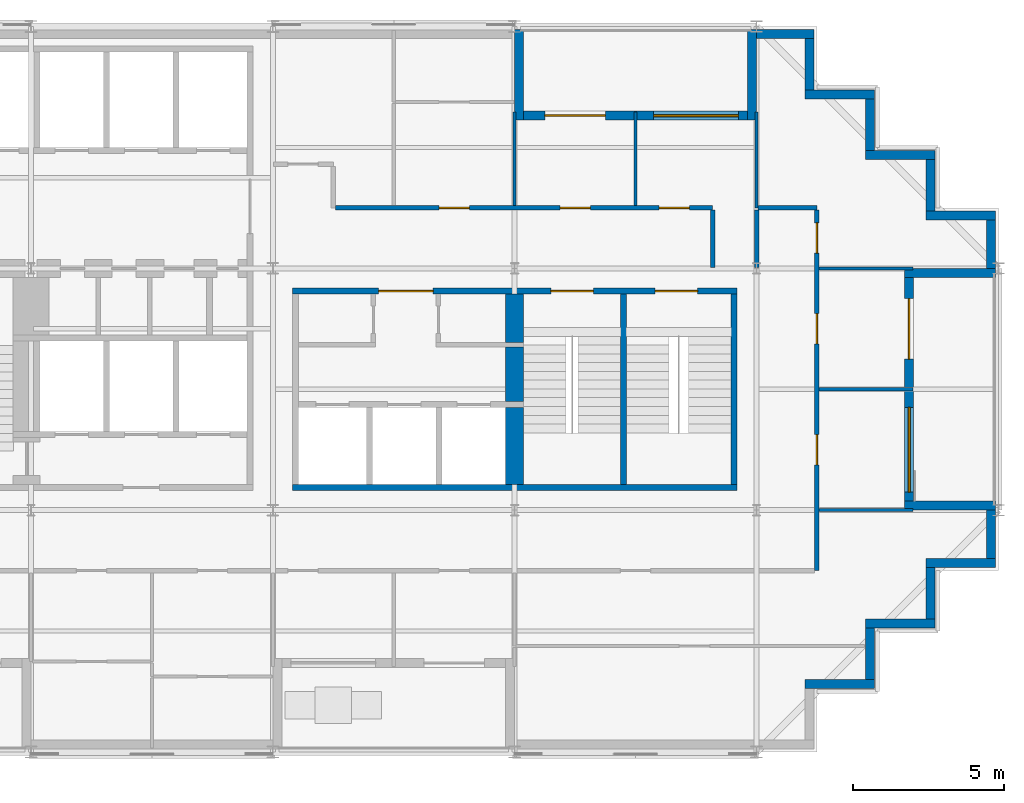
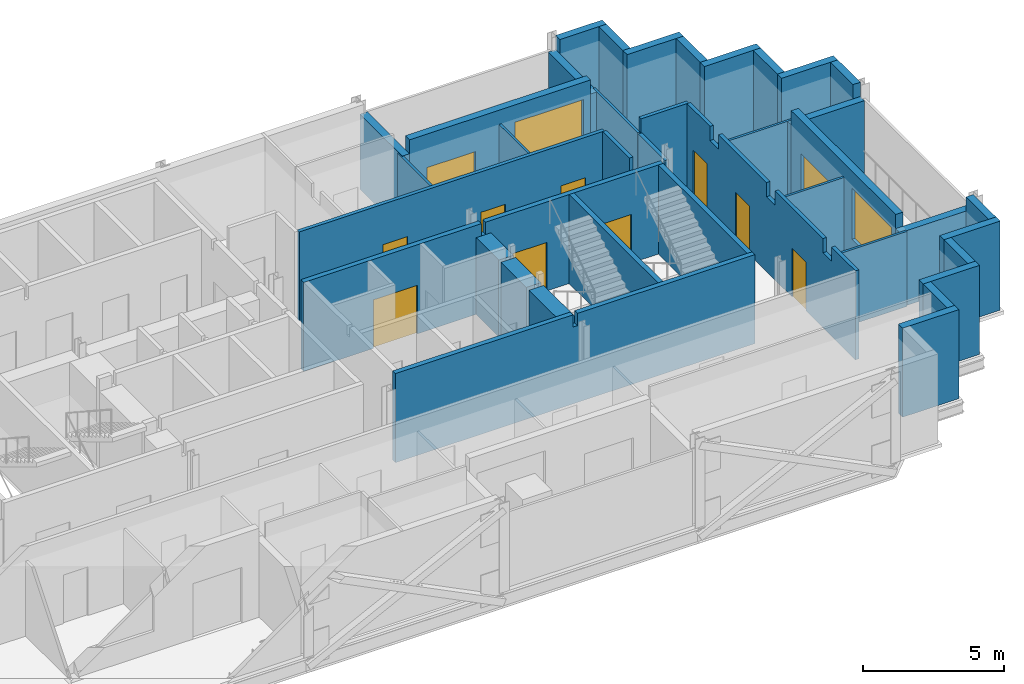
# One storey, part 7 of 10: 38 walls, 11 doors, 2 windows, 13 openings.
"""IFC4 building model written with IfcOpenShell, lengths in metres."""

from ifc_helpers import new_model, si_unit, direction, frame, frame_2d, origin, place, context, subcontext, project, spatial, polyline, rectangle, outline, extrude, material, layer, layer_set, type_object, element, fill, save


model = new_model("IFC4")

# Units and contexts
model_context = context("Model", 3, precision=1e-05, world=origin(), true_north=direction((0.0, 1.0)))
body_context = subcontext(model_context, "Body", "Model", "MODEL_VIEW")
ifc_project = project(units=[si_unit("LENGTHUNIT", "METRE"), si_unit("AREAUNIT", "SQUARE_METRE"), si_unit("VOLUMEUNIT", "CUBIC_METRE"), si_unit("PLANEANGLEUNIT", "RADIAN"), si_unit("MASSUNIT", "GRAM", prefix="KILO")], contexts=[model_context])

# Site, building, storey
site_placement = place(None, origin())
site = spatial("IfcSite", under=ifc_project, at=site_placement, CompositionType="ELEMENT")
building_placement = place(site_placement, origin())
building = spatial("IfcBuilding", under=site, at=building_placement, Name="Immortelle Media Tower", CompositionType="ELEMENT")
storey_placement = place(building_placement, frame((0.0, 0.0, 275.0)))
storey = spatial("IfcBuildingStorey", under=building, at=storey_placement, Name="L60", CompositionType="ELEMENT", Elevation=275.0)

# Wall, openings, doors
ifc_material_1 = material(Name="Fire-rated gypsum board", Category="gypsum")
ifc_layer_1 = layer(ifc_material_1, 0.012451171875)
ifc_material_2 = material(Name="Steel ASTM A653 SS Gr 50 stud frame with mineral wool", Category="steel")
ifc_layer_2 = layer(ifc_material_2, 0.125)
ifc_layer_3 = layer(ifc_material_1, 0.012451171875)
ifc_layer_set_1 = layer_set([ifc_layer_1, ifc_layer_2, ifc_layer_3], Name="Steel ASTM A653 SS Gr 50 stud frame with mineral wool")
wall_type_1 = type_object("IfcWallType", Name="Corridor wall 150", PredefinedType="PARTITIONING", material=ifc_layer_set_1)
wall_1_placement = place(storey_placement, frame((42.0, 6.0, 0.0), z_axis=(0.0, 0.0, 1.0), x_axis=(0.0, 1.0, 0.0)))
wall_1 = element("IfcWall", 1, at=wall_1_placement, inside=storey, type_object=wall_type_1, Name="Partition L60-016", PredefinedType="PARTITIONING", context=body_context, shape_type="SweptSolid", body=[
    extrude(outline(polyline([(0.0, 0.0), (11.925048828125, 0.0), (11.925048828125, 3.85009765625), (10.300048828125, 3.85009765625), (10.298095703125, 3.238037109375), (9.701904296875, 3.238037109375), (9.699951171875, 3.85009765625), (6.300048828125, 3.85009765625), (6.298095703125, 3.238037109375), (5.701904296875, 3.238037109375), (5.699951171875, 3.85009765625), (2.300048828125, 3.85009765625), (2.298095703125, 3.238037109375), (1.701904296875, 3.238037109375), (1.699951171875, 3.85009765625), (0.0, 3.85009765625), (0.0, 0.0)])), frame((0.0, 0.074951171875, 0.0), z_axis=(0.0, -1.0, 0.0), x_axis=(1.0, 0.0, 0.0)), (0.0, 0.0, 1.0), 0.14990234375),
])
opening_1_placement = place(wall_1_placement, frame((4.5, 0.0, 0.0), z_axis=(0.0, 0.0, 1.0), x_axis=(-1.0, 0.0, 0.0)))
opening_1 = element("IfcOpeningElement", 2, at=opening_1_placement, cuts=wall_1, Name="Opening X4-F014", PredefinedType="OPENING", context=body_context, shape_type="SweptSolid", body=[
    extrude(rectangle(XDim=1.0, YDim=2.10009765625, at=frame_2d((0.5, 1.050048828125))), frame((0.0, 0.0849609375, 0.0), z_axis=(0.0, -1.0, 0.0), x_axis=(1.0, 0.0, 0.0)), (0.0, 0.0, 1.0), 0.169921875),
])
opening_2_placement = place(wall_1_placement, frame((8.5, 0.0, 0.0), z_axis=(0.0, 0.0, 1.0), x_axis=(-1.0, 0.0, 0.0)))
opening_2 = element("IfcOpeningElement", 3, at=opening_2_placement, cuts=wall_1, Name="Opening X4-F015", PredefinedType="OPENING", context=body_context, shape_type="SweptSolid", body=[
    extrude(rectangle(XDim=1.0, YDim=2.10009765625, at=frame_2d((0.5, 1.050048828125))), frame((0.0, 0.0849609375, 0.0), z_axis=(0.0, -1.0, 0.0), x_axis=(1.0, 0.0, 0.0)), (0.0, 0.0, 1.0), 0.169921875),
])
opening_3_placement = place(wall_1_placement, frame((11.5, 0.0, 0.0), z_axis=(0.0, 0.0, 1.0), x_axis=(-1.0, 0.0, 0.0)))
opening_3 = element("IfcOpeningElement", 4, at=opening_3_placement, cuts=wall_1, Name="Opening X4-F017", PredefinedType="OPENING", context=body_context, shape_type="SweptSolid", body=[
    extrude(rectangle(XDim=1.0, YDim=2.10009765625, at=frame_2d((0.5, 1.050048828125))), frame((0.0, 0.0849609375, 0.0), z_axis=(0.0, -1.0, 0.0), x_axis=(1.0, 0.0, 0.0)), (0.0, 0.0, 1.0), 0.169921875),
])
ifc_material_3 = material(Name="Timber veneered door leaf, galvanised steel frame ASTM A653", Category="steel")
door_type_1 = type_object("IfcDoorType", Name="Room door 1000 x 2100", OperationType="NOTDEFINED", PredefinedType="DOOR", material=ifc_material_3)
door_1_placement = place(opening_1_placement, origin())
door_1 = element("IfcDoor", 5, at=door_1_placement, inside=storey, type_object=door_type_1, Name="Door X4-F014", OperationType="SINGLE_SWING_LEFT", OverallHeight=2.10009765625, OverallWidth=1.0, PredefinedType="DOOR", context=body_context, shape_type="SweptSolid", body=[
    extrude(rectangle(XDim=1.0, YDim=2.10009765625, at=frame_2d((0.5, 1.050048828125))), frame((0.0, 0.02490234375, 0.0), z_axis=(0.0, -1.0, 0.0), x_axis=(1.0, 0.0, 0.0)), (0.0, 0.0, 1.0), 0.050048828125),
])
fill(opening_1, door_1)
door_2_placement = place(opening_2_placement, origin())
door_2 = element("IfcDoor", 6, at=door_2_placement, inside=storey, type_object=door_type_1, Name="Door X4-F015", OperationType="SINGLE_SWING_LEFT", OverallHeight=2.10009765625, OverallWidth=1.0, PredefinedType="DOOR", context=body_context, shape_type="SweptSolid", body=[
    extrude(rectangle(XDim=1.0, YDim=2.10009765625, at=frame_2d((0.5, 1.050048828125))), frame((0.0, 0.02490234375, 0.0), z_axis=(0.0, -1.0, 0.0), x_axis=(1.0, 0.0, 0.0)), (0.0, 0.0, 1.0), 0.050048828125),
])
fill(opening_2, door_2)
door_3_placement = place(opening_3_placement, origin())
door_3 = element("IfcDoor", 7, at=door_3_placement, inside=storey, type_object=door_type_1, Name="Door X4-F017", OperationType="SINGLE_SWING_RIGHT", OverallHeight=2.10009765625, OverallWidth=1.0, PredefinedType="DOOR", context=body_context, shape_type="SweptSolid", body=[
    extrude(rectangle(XDim=1.0, YDim=2.10009765625, at=frame_2d((0.5, 1.050048828125))), frame((0.0, 0.02490234375, 0.0), z_axis=(0.0, -1.0, 0.0), x_axis=(1.0, 0.0, 0.0)), (0.0, 0.0, 1.0), 0.050048828125),
])
fill(opening_3, door_3)

# Walls
wall_2_placement = place(storey_placement, frame((38.550048828125, 16.030029296875, 0.0), z_axis=(0.0, 0.0, 1.0), x_axis=(0.0, 1.0, 0.0)))
element("IfcWall", 8, at=wall_2_placement, inside=storey, type_object=wall_type_1, Name="Partition L60-023", PredefinedType="PARTITIONING", context=body_context, shape_type="SweptSolid", body=[
    extrude(rectangle(XDim=1.89501953125, YDim=0.14990234375, at=frame_2d((0.947509765625, 0.0))), origin(), (0.0, 0.0, 1.0), 3.85009765625),
])
wall_3_placement = place(storey_placement, frame((40.0, 16.030029296875, 0.0), z_axis=(0.0, 0.0, 1.0), x_axis=(0.0, 1.0, 0.0)))
element("IfcWall", 9, at=wall_3_placement, inside=storey, type_object=wall_type_1, Name="Partition L60-024", PredefinedType="PARTITIONING", context=body_context, shape_type="SweptSolid", body=[
    extrude(rectangle(XDim=1.89501953125, YDim=0.14990234375, at=frame_2d((0.947509765625, 0.0))), origin(), (0.0, 0.0, 1.0), 3.238037109375),
])

# Wall, openings, doors
wall_4_placement = place(storey_placement, frame((26.074951171875, 18.0, 0.0), z_axis=(0.0, 0.0, 1.0), x_axis=(1.0, 0.0, 0.0)))
wall_4 = element("IfcWall", 10, at=wall_4_placement, inside=storey, type_object=wall_type_1, Name="Partition L60-025", PredefinedType="PARTITIONING", context=body_context, shape_type="SweptSolid", body=[
    extrude(rectangle(XDim=12.47509765625, YDim=0.14990234375, at=frame_2d((6.237548828125, 0.0))), origin(), (0.0, 0.0, 1.0), 3.85009765625),
])
opening_4_placement = place(wall_4_placement, frame((7.425048828125, 0.0, 0.0)))
opening_4 = element("IfcOpeningElement", 11, at=opening_4_placement, cuts=wall_4, Name="Opening X4-F018", PredefinedType="OPENING", context=body_context, shape_type="SweptSolid", body=[
    extrude(rectangle(XDim=1.0, YDim=2.10009765625, at=frame_2d((0.5, 1.050048828125))), frame((0.0, 0.0849609375, 0.0), z_axis=(0.0, -1.0, 0.0), x_axis=(1.0, 0.0, 0.0)), (0.0, 0.0, 1.0), 0.169921875),
])
opening_5_placement = place(wall_4_placement, frame((10.699951171875, 0.0, 0.0)))
opening_5 = element("IfcOpeningElement", 12, at=opening_5_placement, cuts=wall_4, Name="Opening X4-F019", PredefinedType="OPENING", context=body_context, shape_type="SweptSolid", body=[
    extrude(rectangle(XDim=1.0, YDim=2.10009765625, at=frame_2d((0.5, 1.050048828125))), frame((0.0, 0.0849609375, 0.0), z_axis=(0.0, -1.0, 0.0), x_axis=(1.0, 0.0, 0.0)), (0.0, 0.0, 1.0), 0.169921875),
])
opening_6_placement = place(wall_4_placement, frame((3.425048828125, 0.0, 0.0)))
opening_6 = element("IfcOpeningElement", 13, at=opening_6_placement, cuts=wall_4, Name="Opening X4-F021", PredefinedType="OPENING", context=body_context, shape_type="SweptSolid", body=[
    extrude(rectangle(XDim=1.0, YDim=2.10009765625, at=frame_2d((0.5, 1.050048828125))), frame((0.0, 0.0849609375, 0.0), z_axis=(0.0, -1.0, 0.0), x_axis=(1.0, 0.0, 0.0)), (0.0, 0.0, 1.0), 0.169921875),
])
door_4_placement = place(opening_4_placement, origin())
door_4 = element("IfcDoor", 14, at=door_4_placement, inside=storey, type_object=door_type_1, Name="Door X4-F018", OperationType="SINGLE_SWING_RIGHT", OverallHeight=2.10009765625, OverallWidth=1.0, PredefinedType="DOOR", context=body_context, shape_type="SweptSolid", body=[
    extrude(rectangle(XDim=1.0, YDim=2.10009765625, at=frame_2d((0.5, 1.050048828125))), frame((0.0, 0.02490234375, 0.0), z_axis=(0.0, -1.0, 0.0), x_axis=(1.0, 0.0, 0.0)), (0.0, 0.0, 1.0), 0.050048828125),
])
fill(opening_4, door_4)
door_5_placement = place(opening_5_placement, origin())
door_5 = element("IfcDoor", 15, at=door_5_placement, inside=storey, type_object=door_type_1, Name="Door X4-F019", OperationType="SINGLE_SWING_LEFT", OverallHeight=2.10009765625, OverallWidth=1.0, PredefinedType="DOOR", context=body_context, shape_type="SweptSolid", body=[
    extrude(rectangle(XDim=1.0, YDim=2.10009765625, at=frame_2d((0.5, 1.050048828125))), frame((0.0, 0.02490234375, 0.0), z_axis=(0.0, -1.0, 0.0), x_axis=(1.0, 0.0, 0.0)), (0.0, 0.0, 1.0), 0.050048828125),
])
fill(opening_5, door_5)
door_6_placement = place(opening_6_placement, origin())
door_6 = element("IfcDoor", 16, at=door_6_placement, inside=storey, type_object=door_type_1, Name="Door X4-F021", OperationType="SINGLE_SWING_RIGHT", OverallHeight=2.10009765625, OverallWidth=1.0, PredefinedType="DOOR", context=body_context, shape_type="SweptSolid", body=[
    extrude(rectangle(XDim=1.0, YDim=2.10009765625, at=frame_2d((0.5, 1.050048828125))), frame((0.0, 0.02490234375, 0.0), z_axis=(0.0, -1.0, 0.0), x_axis=(1.0, 0.0, 0.0)), (0.0, 0.0, 1.0), 0.050048828125),
])
fill(opening_6, door_6)

# Walls
wall_5_placement = place(storey_placement, frame((40.050048828125, 18.0, 0.0), z_axis=(0.0, 0.0, 1.0), x_axis=(1.0, 0.0, 0.0)))
element("IfcWall", 17, at=wall_5_placement, inside=storey, type_object=wall_type_1, Name="Partition L60-030", PredefinedType="PARTITIONING", context=body_context, shape_type="SweptSolid", body=[
    extrude(rectangle(XDim=1.949951171875, YDim=0.14990234375, at=frame_2d((0.97509765625, 0.0))), origin(), (0.0, 0.0, 1.0), 3.85009765625),
])
ifc_material_4 = material(Name="Pale aluminium cladding panel", Category="aluminium")
ifc_layer_4 = layer(ifc_material_4, 0.030029296875)
ifc_layer_5 = layer(ifc_material_2, 0.257568359375)
ifc_material_5 = material(Name="Moisture-resistant gypsum board", Category="gypsum")
ifc_layer_6 = layer(ifc_material_5, 0.012451171875)
ifc_layer_set_2 = layer_set([ifc_layer_4, ifc_layer_5, ifc_layer_6], Name="Steel ASTM A653 SS Gr 50 stud frame with mineral wool")
wall_type_2 = type_object("IfcWallType", Name="Facade wall 300", PredefinedType="SOLIDWALL", material=ifc_layer_set_2)
wall_6_placement = place(storey_placement, frame((41.60009765625, 2.25, 0.0), z_axis=(0.0, 0.0, 1.0), x_axis=(1.0, 0.0, 0.0)))
element("IfcWall", 18, at=wall_6_placement, inside=storey, type_object=wall_type_2, Name="Facade wall L60 S8", PredefinedType="SOLIDWALL", context=body_context, shape_type="SweptSolid", body=[
    extrude(rectangle(XDim=2.2998046875, YDim=0.300048828125, at=frame_2d((1.14990234375, 0.0))), origin(), (0.0, 0.0, 1.0), 3.85009765625),
])
wall_7_placement = place(storey_placement, frame((43.75, 2.39990234375, 0.0), z_axis=(0.0, 0.0, 1.0), x_axis=(0.0, 1.0, 0.0)))
element("IfcWall", 19, at=wall_7_placement, inside=storey, type_object=wall_type_2, Name="Facade wall L60 E9", PredefinedType="SOLIDWALL", context=body_context, shape_type="SweptSolid", body=[
    extrude(rectangle(XDim=1.7001953125, YDim=0.300048828125, at=frame_2d((0.85009765625, 0.0))), origin(), (0.0, 0.0, 1.0), 3.85009765625),
])
wall_8_placement = place(storey_placement, frame((43.60009765625, 4.25, 0.0), z_axis=(0.0, 0.0, 1.0), x_axis=(1.0, 0.0, 0.0)))
element("IfcWall", 20, at=wall_8_placement, inside=storey, type_object=wall_type_2, Name="Facade wall L60 S10", PredefinedType="SOLIDWALL", context=body_context, shape_type="SweptSolid", body=[
    extrude(rectangle(XDim=2.2998046875, YDim=0.300048828125, at=frame_2d((1.14990234375, 0.0))), origin(), (0.0, 0.0, 1.0), 3.85009765625),
])
wall_9_placement = place(storey_placement, frame((45.75, 4.39990234375, 0.0), z_axis=(0.0, 0.0, 1.0), x_axis=(0.0, 1.0, 0.0)))
element("IfcWall", 21, at=wall_9_placement, inside=storey, type_object=wall_type_2, Name="Facade wall L60 E11", PredefinedType="SOLIDWALL", context=body_context, shape_type="SweptSolid", body=[
    extrude(rectangle(XDim=1.7001953125, YDim=0.300048828125, at=frame_2d((0.85009765625, 0.0))), origin(), (0.0, 0.0, 1.0), 3.85009765625),
])
wall_10_placement = place(storey_placement, frame((45.60009765625, 6.25, 0.0), z_axis=(0.0, 0.0, 1.0), x_axis=(1.0, 0.0, 0.0)))
element("IfcWall", 22, at=wall_10_placement, inside=storey, type_object=wall_type_2, Name="Facade wall L60 S12", PredefinedType="SOLIDWALL", context=body_context, shape_type="SweptSolid", body=[
    extrude(rectangle(XDim=2.2998046875, YDim=0.300048828125, at=frame_2d((1.14990234375, 0.0))), origin(), (0.0, 0.0, 1.0), 3.85009765625),
])
wall_11_placement = place(storey_placement, frame((47.75, 6.39990234375, 0.0), z_axis=(0.0, 0.0, 1.0), x_axis=(0.0, 1.0, 0.0)))
element("IfcWall", 23, at=wall_11_placement, inside=storey, type_object=wall_type_2, Name="Facade wall L60 E13", PredefinedType="SOLIDWALL", context=body_context, shape_type="SweptSolid", body=[
    extrude(rectangle(XDim=1.60009765625, YDim=0.300048828125, at=frame_2d((0.800048828125, 0.0))), origin(), (0.0, 0.0, 1.0), 3.85009765625),
])

# Wall, openings, door, window
wall_12_placement = place(storey_placement, frame((45.050048828125, 8.300048828125, 0.0), z_axis=(0.0, 0.0, 1.0), x_axis=(0.0, 1.0, 0.0)))
wall_12 = element("IfcWall", 24, at=wall_12_placement, inside=storey, type_object=wall_type_2, Name="Loggia wall L60 E13", PredefinedType="SOLIDWALL", context=body_context, shape_type="SweptSolid", body=[
    extrude(rectangle(XDim=7.39990234375, YDim=0.300048828125, at=frame_2d((3.699951171875, 0.0))), origin(), (0.0, 0.0, 1.0), 3.85009765625),
])
opening_7_placement = place(wall_12_placement, frame((0.300048828125, 0.0, 0.89990234375)))
opening_7 = element("IfcOpeningElement", 25, at=opening_7_placement, cuts=wall_12, Name="Opening W1", PredefinedType="OPENING", context=body_context, shape_type="SweptSolid", body=[
    extrude(rectangle(XDim=2.800048828125, YDim=2.199951171875, at=frame_2d((1.39990234375, 1.10009765625))), frame((0.0, 0.159912109375, 0.0), z_axis=(0.0, -1.0, 0.0), x_axis=(1.0, 0.0, 0.0)), (0.0, 0.0, 1.0), 0.320068359375),
])
opening_8_placement = place(wall_12_placement, frame((4.699951171875, 0.0, 0.0)))
opening_8 = element("IfcOpeningElement", 26, at=opening_8_placement, cuts=wall_12, Name="Opening X4-E003", PredefinedType="OPENING", context=body_context, shape_type="SweptSolid", body=[
    extrude(rectangle(XDim=2.0, YDim=2.39990234375, at=frame_2d((1.0, 1.199951171875))), frame((0.0, 0.159912109375, 0.0), z_axis=(0.0, -1.0, 0.0), x_axis=(1.0, 0.0, 0.0)), (0.0, 0.0, 1.0), 0.320068359375),
])
ifc_material_6 = material(Name="Aluminium frame, glazed leaves", Category="aluminium")
door_type_2 = type_object("IfcDoorType", Name="Loggia door 2000 x 2400", OperationType="DOUBLE_DOOR_SINGLE_SWING", PredefinedType="DOOR", material=ifc_material_6)
door_7_placement = place(opening_8_placement, origin())
door_7 = element("IfcDoor", 27, at=door_7_placement, inside=storey, type_object=door_type_2, Name="Door X4-E003", OperationType="DOUBLE_DOOR_SINGLE_SWING", OverallHeight=2.39990234375, OverallWidth=2.0, PredefinedType="DOOR", context=body_context, shape_type="SweptSolid", body=[
    extrude(rectangle(XDim=2.0, YDim=2.39990234375, at=frame_2d((1.0, 1.199951171875))), frame((0.0, 0.02490234375, 0.0), z_axis=(0.0, -1.0, 0.0), x_axis=(1.0, 0.0, 0.0)), (0.0, 0.0, 1.0), 0.050048828125),
])
fill(opening_8, door_7)
ifc_material_7 = material(Name="Aluminium frame", Category="aluminium")
window_type = type_object("IfcWindowType", Name="Window 2800 x 2200", PartitioningType="SINGLE_PANEL", PredefinedType="WINDOW", material=ifc_material_7)
window_1_placement = place(opening_7_placement, origin())
window_1 = element("IfcWindow", 28, at=window_1_placement, inside=storey, type_object=window_type, Name="Window L60 L60-R13-B0", OverallHeight=2.199951171875, OverallWidth=2.800048828125, PartitioningType="SINGLE_PANEL", PredefinedType="WINDOW", context=body_context, shape_type="SweptSolid", body=[
    extrude(rectangle(XDim=2.800048828125, YDim=2.199951171875, at=frame_2d((1.39990234375, 1.10009765625))), frame((0.0, 0.030029296875, 0.0), z_axis=(0.0, -1.0, 0.0), x_axis=(1.0, 0.0, 0.0)), (0.0, 0.0, 1.0), 0.06005859375),
])
fill(opening_7, window_1)

# Walls
for number, where, z_axis, x_axis, name in (
    (29, (47.89990234375, 8.14990234375, 0.0), (0.0, 0.0, 1.0), (-1.0, 0.0, 0.0), "Loggia cheek wall L60 E"),
    (30, (47.89990234375, 15.85009765625, 0.0), (0.0, 0.0, 1.0), (-1.0, 0.0, 0.0), "Loggia cheek wall L60 E"),
):
    element("IfcWall", number, at=place(storey_placement, frame(where, z_axis=z_axis, x_axis=x_axis)), inside=storey, type_object=wall_type_2, Name=name, PredefinedType="SOLIDWALL", context=body_context, shape_type="SweptSolid", body=[
        extrude(rectangle(XDim=3.0, YDim=0.300048828125, at=frame_2d((1.5, 0.0))), origin(), (0.0, 0.0, 1.0), 3.237060546875),
    ])
wall_13_placement = place(storey_placement, frame((47.75, 16.0, 0.0), z_axis=(0.0, 0.0, 1.0), x_axis=(0.0, 1.0, 0.0)))
element("IfcWall", 31, at=wall_13_placement, inside=storey, type_object=wall_type_2, Name="Facade wall L60 E13", PredefinedType="SOLIDWALL", context=body_context, shape_type="SweptSolid", body=[
    extrude(rectangle(XDim=1.60009765625, YDim=0.300048828125, at=frame_2d((0.800048828125, 0.0))), origin(), (0.0, 0.0, 1.0), 3.85009765625),
])
wall_14_placement = place(storey_placement, frame((47.89990234375, 17.75, 0.0), z_axis=(0.0, 0.0, 1.0), x_axis=(-1.0, 0.0, 0.0)))
element("IfcWall", 32, at=wall_14_placement, inside=storey, type_object=wall_type_2, Name="Facade wall L60 N14", PredefinedType="SOLIDWALL", context=body_context, shape_type="SweptSolid", body=[
    extrude(rectangle(XDim=2.2998046875, YDim=0.300048828125, at=frame_2d((1.14990234375, 0.0))), origin(), (0.0, 0.0, 1.0), 3.85009765625),
])
wall_15_placement = place(storey_placement, frame((45.75, 17.89990234375, 0.0), z_axis=(0.0, 0.0, 1.0), x_axis=(0.0, 1.0, 0.0)))
element("IfcWall", 33, at=wall_15_placement, inside=storey, type_object=wall_type_2, Name="Facade wall L60 E15", PredefinedType="SOLIDWALL", context=body_context, shape_type="SweptSolid", body=[
    extrude(rectangle(XDim=1.7001953125, YDim=0.300048828125, at=frame_2d((0.85009765625, 0.0))), origin(), (0.0, 0.0, 1.0), 3.85009765625),
])
wall_16_placement = place(storey_placement, frame((45.89990234375, 19.75, 0.0), z_axis=(0.0, 0.0, 1.0), x_axis=(-1.0, 0.0, 0.0)))
element("IfcWall", 34, at=wall_16_placement, inside=storey, type_object=wall_type_2, Name="Facade wall L60 N16", PredefinedType="SOLIDWALL", context=body_context, shape_type="SweptSolid", body=[
    extrude(rectangle(XDim=2.2998046875, YDim=0.300048828125, at=frame_2d((1.14990234375, 0.0))), origin(), (0.0, 0.0, 1.0), 3.85009765625),
])
wall_17_placement = place(storey_placement, frame((43.75, 19.89990234375, 0.0), z_axis=(0.0, 0.0, 1.0), x_axis=(0.0, 1.0, 0.0)))
element("IfcWall", 35, at=wall_17_placement, inside=storey, type_object=wall_type_2, Name="Facade wall L60 E17", PredefinedType="SOLIDWALL", context=body_context, shape_type="SweptSolid", body=[
    extrude(rectangle(XDim=1.7001953125, YDim=0.300048828125, at=frame_2d((0.85009765625, 0.0))), origin(), (0.0, 0.0, 1.0), 3.85009765625),
])
wall_18_placement = place(storey_placement, frame((43.89990234375, 21.75, 0.0), z_axis=(0.0, 0.0, 1.0), x_axis=(-1.0, 0.0, 0.0)))
element("IfcWall", 36, at=wall_18_placement, inside=storey, type_object=wall_type_2, Name="Facade wall L60 N18", PredefinedType="SOLIDWALL", context=body_context, shape_type="SweptSolid", body=[
    extrude(rectangle(XDim=2.2998046875, YDim=0.300048828125, at=frame_2d((1.14990234375, 0.0))), origin(), (0.0, 0.0, 1.0), 3.85009765625),
])
wall_19_placement = place(storey_placement, frame((41.75, 21.89990234375, 0.0), z_axis=(0.0, 0.0, 1.0), x_axis=(0.0, 1.0, 0.0)))
element("IfcWall", 37, at=wall_19_placement, inside=storey, type_object=wall_type_2, Name="Facade wall L60 E19", PredefinedType="SOLIDWALL", context=body_context, shape_type="SweptSolid", body=[
    extrude(rectangle(XDim=1.7001953125, YDim=0.300048828125, at=frame_2d((0.85009765625, 0.0))), origin(), (0.0, 0.0, 1.0), 3.85009765625),
])
wall_20_placement = place(storey_placement, frame((41.89990234375, 23.75, 0.0), z_axis=(0.0, 0.0, 1.0), x_axis=(-1.0, 0.0, 0.0)))
element("IfcWall", 38, at=wall_20_placement, inside=storey, type_object=wall_type_2, Name="Facade wall L60 N20", PredefinedType="SOLIDWALL", context=body_context, shape_type="SweptSolid", body=[
    extrude(rectangle(XDim=1.89990234375, YDim=0.300048828125, at=frame_2d((0.949951171875, 0.0))), origin(), (0.0, 0.0, 1.0), 3.85009765625),
])

# Wall, openings, door, window
wall_21_placement = place(storey_placement, frame((39.699951171875, 21.050048828125, 0.0), z_axis=(0.0, 0.0, 1.0), x_axis=(-1.0, 0.0, 0.0)))
wall_21 = element("IfcWall", 39, at=wall_21_placement, inside=storey, type_object=wall_type_2, Name="Loggia wall L60 N20", PredefinedType="SOLIDWALL", context=body_context, shape_type="SweptSolid", body=[
    extrude(rectangle(XDim=7.39990234375, YDim=0.300048828125, at=frame_2d((3.699951171875, 0.0))), origin(), (0.0, 0.0, 1.0), 3.85009765625),
])
opening_9_placement = place(wall_21_placement, frame((0.300048828125, 0.0, 0.89990234375)))
opening_9 = element("IfcOpeningElement", 40, at=opening_9_placement, cuts=wall_21, Name="Opening W1", PredefinedType="OPENING", context=body_context, shape_type="SweptSolid", body=[
    extrude(rectangle(XDim=2.800048828125, YDim=2.199951171875, at=frame_2d((1.39990234375, 1.10009765625))), frame((0.0, 0.159912109375, 0.0), z_axis=(0.0, -1.0, 0.0), x_axis=(1.0, 0.0, 0.0)), (0.0, 0.0, 1.0), 0.320068359375),
])
opening_10_placement = place(wall_21_placement, frame((4.699951171875, 0.0, 0.0)))
opening_10 = element("IfcOpeningElement", 41, at=opening_10_placement, cuts=wall_21, Name="Opening X4-E004", PredefinedType="OPENING", context=body_context, shape_type="SweptSolid", body=[
    extrude(rectangle(XDim=2.0, YDim=2.39990234375, at=frame_2d((1.0, 1.199951171875))), frame((0.0, 0.159912109375, 0.0), z_axis=(0.0, -1.0, 0.0), x_axis=(1.0, 0.0, 0.0)), (0.0, 0.0, 1.0), 0.320068359375),
])
door_8_placement = place(opening_10_placement, origin())
door_8 = element("IfcDoor", 42, at=door_8_placement, inside=storey, type_object=door_type_2, Name="Door X4-E004", OperationType="DOUBLE_DOOR_SINGLE_SWING", OverallHeight=2.39990234375, OverallWidth=2.0, PredefinedType="DOOR", context=body_context, shape_type="SweptSolid", body=[
    extrude(rectangle(XDim=2.0, YDim=2.39990234375, at=frame_2d((1.0, 1.199951171875))), frame((0.0, 0.02490234375, 0.0), z_axis=(0.0, -1.0, 0.0), x_axis=(1.0, 0.0, 0.0)), (0.0, 0.0, 1.0), 0.050048828125),
])
fill(opening_10, door_8)
window_2_placement = place(opening_9_placement, origin())
window_2 = element("IfcWindow", 43, at=window_2_placement, inside=storey, type_object=window_type, Name="Window L60 L60-R20-B0", OverallHeight=2.199951171875, OverallWidth=2.800048828125, PartitioningType="SINGLE_PANEL", PredefinedType="WINDOW", context=body_context, shape_type="SweptSolid", body=[
    extrude(rectangle(XDim=2.800048828125, YDim=2.199951171875, at=frame_2d((1.39990234375, 1.10009765625))), frame((0.0, 0.030029296875, 0.0), z_axis=(0.0, -1.0, 0.0), x_axis=(1.0, 0.0, 0.0)), (0.0, 0.0, 1.0), 0.06005859375),
])
fill(opening_9, window_2)

# Walls
wall_22_placement = place(storey_placement, frame((39.85009765625, 23.89990234375, 0.0), z_axis=(0.0, 0.0, 1.0), x_axis=(0.0, -1.0, 0.0)))
element("IfcWall", 44, at=wall_22_placement, inside=storey, type_object=wall_type_2, Name="Loggia cheek wall L60 N", PredefinedType="SOLIDWALL", context=body_context, shape_type="SweptSolid", body=[
    extrude(rectangle(XDim=3.0, YDim=0.300048828125, at=frame_2d((1.5, 0.0))), origin(), (0.0, 0.0, 1.0), 3.237060546875),
])
wall_23_placement = place(storey_placement, frame((32.14990234375, 23.89990234375, 0.0), z_axis=(0.0, 0.0, 1.0), x_axis=(0.0, -1.0, 0.0)))
element("IfcWall", 45, at=wall_23_placement, inside=storey, type_object=wall_type_2, Name="Loggia cheek wall L60 N", PredefinedType="SOLIDWALL", context=body_context, shape_type="SweptSolid", body=[
    extrude(rectangle(XDim=3.0, YDim=0.300048828125, at=frame_2d((1.5, 0.0))), origin(), (0.0, 0.0, 1.0), 3.2470703125),
])
ifc_material_8 = material(Name="Gypsum board", Category="gypsum")
ifc_layer_7 = layer(ifc_material_8, 0.012451171875)
ifc_layer_8 = layer(ifc_material_2, 0.074951171875)
ifc_layer_9 = layer(ifc_material_8, 0.012451171875)
ifc_layer_set_3 = layer_set([ifc_layer_7, ifc_layer_8, ifc_layer_9], Name="Steel ASTM A653 SS Gr 50 stud frame with mineral wool")
wall_type_3 = type_object("IfcWallType", Name="Partition 100", PredefinedType="PARTITIONING", material=ifc_layer_set_3)
for number, where, z_axis, x_axis, name in (
    (46, (42.074951171875, 8.0, 0.0), (0.0, 0.0, 1.0), (1.0, 0.0, 0.0), "Partition L60-018"),
    (47, (42.074951171875, 12.0, 0.0), (0.0, 0.0, 1.0), (1.0, 0.0, 0.0), "Partition L60-020"),
    (48, (42.074951171875, 16.0, 0.0), (0.0, 0.0, 1.0), (1.0, 0.0, 0.0), "Partition L60-022"),
    (49, (32.0, 18.074951171875, 0.0), (0.0, 0.0, 1.0), (0.0, 1.0, 0.0), "Partition L60-028"),
    (50, (36.0, 18.074951171875, 0.0), (0.0, 0.0, 1.0), (0.0, 1.0, 0.0), "Partition L60-029"),
):
    element("IfcWall", number, at=place(storey_placement, frame(where, z_axis=z_axis, x_axis=x_axis)), inside=storey, type_object=wall_type_3, Name=name, PredefinedType="PARTITIONING", context=body_context, shape_type="SweptSolid", body=[
        extrude(rectangle(XDim=3.094970703125, YDim=0.10009765625, at=frame_2d((1.54736328125, 0.0))), origin(), (0.0, 0.0, 1.0), 3.238037109375),
    ])
wall_24_placement = place(storey_placement, frame((40.0, 18.0, 0.0), z_axis=(0.0, 0.0, 1.0), x_axis=(0.0, 1.0, 0.0)))
element("IfcWall", 51, at=wall_24_placement, inside=storey, type_object=wall_type_3, Name="Partition L60-031", PredefinedType="PARTITIONING", context=body_context, shape_type="SweptSolid", body=[
    extrude(rectangle(XDim=3.169921875, YDim=0.10009765625, at=frame_2d((1.5849609375, 0.0))), origin(), (0.0, 0.0, 1.0), 3.238037109375),
])
ifc_material_9 = material(Name="Concrete C60", Category="concrete")
ifc_layer_10 = layer(ifc_material_9, 0.199951171875)
ifc_layer_set_4 = layer_set([ifc_layer_10], Name="Concrete C60")
wall_type_4 = type_object("IfcWallType", Name="Stair shaft wall 200", PredefinedType="PARTITIONING", material=ifc_layer_set_4)
wall_25_placement = place(storey_placement, frame((24.64990234375, 8.75, 0.0), z_axis=(0.0, 0.0, 1.0), x_axis=(1.0, 0.0, 0.0)))
element("IfcWall", 52, at=wall_25_placement, inside=storey, type_object=wall_type_4, Name="Stair shaft wall SE", PredefinedType="PARTITIONING", context=body_context, shape_type="SweptSolid", body=[
    extrude(outline(polyline([(0.0, 0.0), (14.7001953125, 0.0), (14.699951171875, 3.85009765625), (7.4375, 3.85009765625), (7.4365234375, 3.318115234375), (7.263427734375, 3.318115234375), (7.262451171875, 3.85009765625), (0.0, 3.85009765625), (0.0, 0.0)])), frame((0.0, 0.10009765625, 0.0), z_axis=(0.0, -1.0, 0.0), x_axis=(1.0, 0.0, 0.0)), (0.0, 0.0, 1.0), 0.199951171875),
])

# Wall, openings, doors
wall_26_placement = place(storey_placement, frame((24.64990234375, 15.25, 0.0), z_axis=(0.0, 0.0, 1.0), x_axis=(1.0, 0.0, 0.0)))
wall_26 = element("IfcWall", 53, at=wall_26_placement, inside=storey, type_object=wall_type_4, Name="Stair shaft wall SE", PredefinedType="PARTITIONING", context=body_context, shape_type="SweptSolid", body=[
    extrude(outline(polyline([(0.0, 0.0), (14.7001953125, 0.0), (14.699951171875, 3.85009765625), (7.4375, 3.85009765625), (7.4365234375, 3.318115234375), (7.263427734375, 3.318115234375), (7.262451171875, 3.85009765625), (0.0, 3.85009765625), (0.0, 0.0)])), frame((0.0, 0.10009765625, 0.0), z_axis=(0.0, -1.0, 0.0), x_axis=(1.0, 0.0, 0.0)), (0.0, 0.0, 1.0), 0.199951171875),
])
opening_11_placement = place(wall_26_placement, frame((2.85009765625, 0.0, 0.0)))
opening_11 = element("IfcOpeningElement", 54, at=opening_11_placement, cuts=wall_26, Name="Opening X4-K022", PredefinedType="OPENING", context=body_context, shape_type="SweptSolid", body=[
    extrude(rectangle(XDim=1.800048828125, YDim=2.10009765625, at=frame_2d((0.89990234375, 1.050048828125))), frame((0.0, 0.10986328125, 0.0), z_axis=(0.0, -1.0, 0.0), x_axis=(1.0, 0.0, 0.0)), (0.0, 0.0, 1.0), 0.219970703125),
])
opening_12_placement = place(wall_26_placement, frame((9.949951171875, 0.0, 0.0), z_axis=(0.0, 0.0, 1.0), x_axis=(-1.0, 0.0, 0.0)))
opening_12 = element("IfcOpeningElement", 55, at=opening_12_placement, cuts=wall_26, Name="Opening X4-K025", PredefinedType="OPENING", context=body_context, shape_type="SweptSolid", body=[
    extrude(rectangle(XDim=1.39990234375, YDim=2.10009765625, at=frame_2d((0.699951171875, 1.050048828125))), frame((0.0, 0.10986328125, 0.0), z_axis=(0.0, -1.0, 0.0), x_axis=(1.0, 0.0, 0.0)), (0.0, 0.0, 1.0), 0.219970703125),
])
opening_13_placement = place(wall_26_placement, frame((13.39990234375, 0.0, 0.0), z_axis=(0.0, 0.0, 1.0), x_axis=(-1.0, 0.0, 0.0)))
opening_13 = element("IfcOpeningElement", 56, at=opening_13_placement, cuts=wall_26, Name="Opening X4-K026", PredefinedType="OPENING", context=body_context, shape_type="SweptSolid", body=[
    extrude(rectangle(XDim=1.39990234375, YDim=2.10009765625, at=frame_2d((0.699951171875, 1.050048828125))), frame((0.0, 0.10986328125, 0.0), z_axis=(0.0, -1.0, 0.0), x_axis=(1.0, 0.0, 0.0)), (0.0, 0.0, 1.0), 0.219970703125),
])
ifc_material_10 = material(Name="Galvanised steel door leaf and frame ASTM A653", Category="steel")
door_type_3 = type_object("IfcDoorType", Name="Lift lobby door 1800 x 2100", OperationType="DOUBLE_DOOR_SINGLE_SWING", PredefinedType="NOTDEFINED", material=ifc_material_10)
door_9_placement = place(opening_11_placement, origin())
door_9 = element("IfcDoor", 57, at=door_9_placement, inside=storey, type_object=door_type_3, Name="Lift lobby X4-K022", OperationType="DOUBLE_DOOR_SINGLE_SWING", OverallHeight=2.10009765625, OverallWidth=1.800048828125, PredefinedType="NOTDEFINED", context=body_context, shape_type="SweptSolid", body=[
    extrude(rectangle(XDim=1.800048828125, YDim=2.10009765625, at=frame_2d((0.89990234375, 1.050048828125))), frame((0.0, 0.02490234375, 0.0), z_axis=(0.0, -1.0, 0.0), x_axis=(1.0, 0.0, 0.0)), (0.0, 0.0, 1.0), 0.050048828125),
])
fill(opening_11, door_9)
door_type_4 = type_object("IfcDoorType", Name="Stair door 1400 x 2100", OperationType="DOUBLE_DOOR_SINGLE_SWING", PredefinedType="NOTDEFINED", material=ifc_material_10)
door_10_placement = place(opening_12_placement, origin())
door_10 = element("IfcDoor", 58, at=door_10_placement, inside=storey, type_object=door_type_4, Name="Stair X4-K025", OperationType="DOUBLE_DOOR_SINGLE_SWING", OverallHeight=2.10009765625, OverallWidth=1.39990234375, PredefinedType="NOTDEFINED", context=body_context, shape_type="SweptSolid", body=[
    extrude(rectangle(XDim=1.39990234375, YDim=2.10009765625, at=frame_2d((0.699951171875, 1.050048828125))), frame((0.0, 0.02490234375, 0.0), z_axis=(0.0, -1.0, 0.0), x_axis=(1.0, 0.0, 0.0)), (0.0, 0.0, 1.0), 0.050048828125),
])
fill(opening_12, door_10)
door_11_placement = place(opening_13_placement, origin())
door_11 = element("IfcDoor", 59, at=door_11_placement, inside=storey, type_object=door_type_4, Name="Stair X4-K026", OperationType="DOUBLE_DOOR_SINGLE_SWING", OverallHeight=2.10009765625, OverallWidth=1.39990234375, PredefinedType="NOTDEFINED", context=body_context, shape_type="SweptSolid", body=[
    extrude(rectangle(XDim=1.39990234375, YDim=2.10009765625, at=frame_2d((0.699951171875, 1.050048828125))), frame((0.0, 0.02490234375, 0.0), z_axis=(0.0, -1.0, 0.0), x_axis=(1.0, 0.0, 0.0)), (0.0, 0.0, 1.0), 0.050048828125),
])
fill(opening_13, door_11)

# Walls
for number, where, z_axis, x_axis, name in (
    (60, (35.60009765625, 8.85009765625, 0.0), (0.0, 0.0, 1.0), (0.0, 1.0, 0.0), "Stair shaft wall SE"),
    (61, (39.25, 8.85009765625, 0.0), (0.0, 0.0, 1.0), (0.0, 1.0, 0.0), "Stair shaft wall SE"),
):
    element("IfcWall", number, at=place(storey_placement, frame(where, z_axis=z_axis, x_axis=x_axis)), inside=storey, type_object=wall_type_4, Name=name, PredefinedType="PARTITIONING", context=body_context, shape_type="SweptSolid", body=[
        extrude(rectangle(XDim=6.2998046875, YDim=0.199951171875, at=frame_2d((3.14990234375, 0.0))), origin(), (0.0, 0.0, 1.0), 3.85009765625),
    ])
ifc_layer_11 = layer(ifc_material_9, 0.60009765625)
ifc_layer_set_5 = layer_set([ifc_layer_11], Name="Concrete C60")
wall_type_5 = type_object("IfcWallType", Name="Stair shaft wall 600", PredefinedType="PARTITIONING", material=ifc_layer_set_5)
wall_27_placement = place(storey_placement, frame((32.0, 8.85009765625, 0.0), z_axis=(0.0, 0.0, 1.0), x_axis=(0.0, 1.0, 0.0)))
element("IfcWall", 62, at=wall_27_placement, inside=storey, type_object=wall_type_5, Name="Stair shaft wall SE", PredefinedType="PARTITIONING", context=body_context, shape_type="SweptSolid", body=[
    extrude(rectangle(XDim=2.5498046875, YDim=0.60009765625, at=frame_2d((1.27490234375, 0.0))), origin(), (0.0, 0.0, 1.0), 3.318115234375),
])
wall_28_placement = place(storey_placement, frame((32.0, 11.60009765625, 0.0), z_axis=(0.0, 0.0, 1.0), x_axis=(0.0, 1.0, 0.0)))
element("IfcWall", 63, at=wall_28_placement, inside=storey, type_object=wall_type_5, Name="Stair shaft wall SE", PredefinedType="PARTITIONING", context=body_context, shape_type="SweptSolid", body=[
    extrude(rectangle(XDim=1.7998046875, YDim=0.60009765625, at=frame_2d((0.89990234375, 0.0))), origin(), (0.0, 0.0, 1.0), 3.318115234375),
])
wall_29_placement = place(storey_placement, frame((32.0, 13.550048828125, 0.0), z_axis=(0.0, 0.0, 1.0), x_axis=(0.0, 1.0, 0.0)))
element("IfcWall", 64, at=wall_29_placement, inside=storey, type_object=wall_type_5, Name="Stair shaft wall SE", PredefinedType="PARTITIONING", context=body_context, shape_type="SweptSolid", body=[
    extrude(rectangle(XDim=1.599853515625, YDim=0.60009765625, at=frame_2d((0.7998046875, 0.0))), origin(), (0.0, 0.0, 1.0), 3.318115234375),
])

save(model, "model.ifc")
